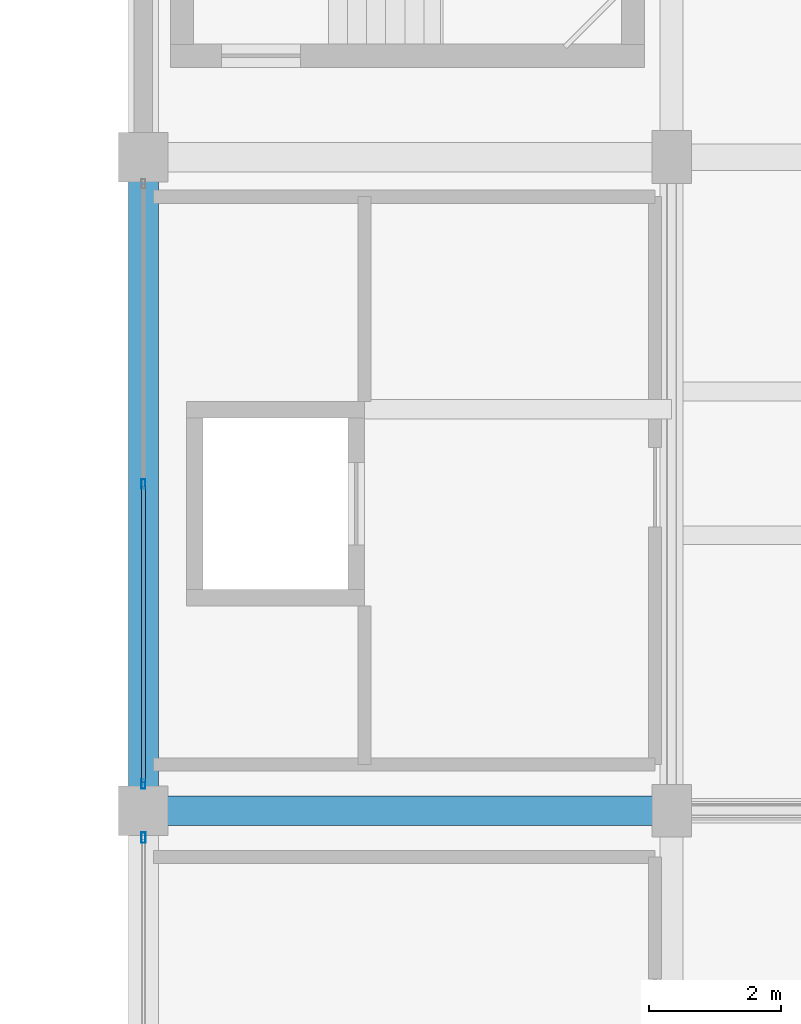
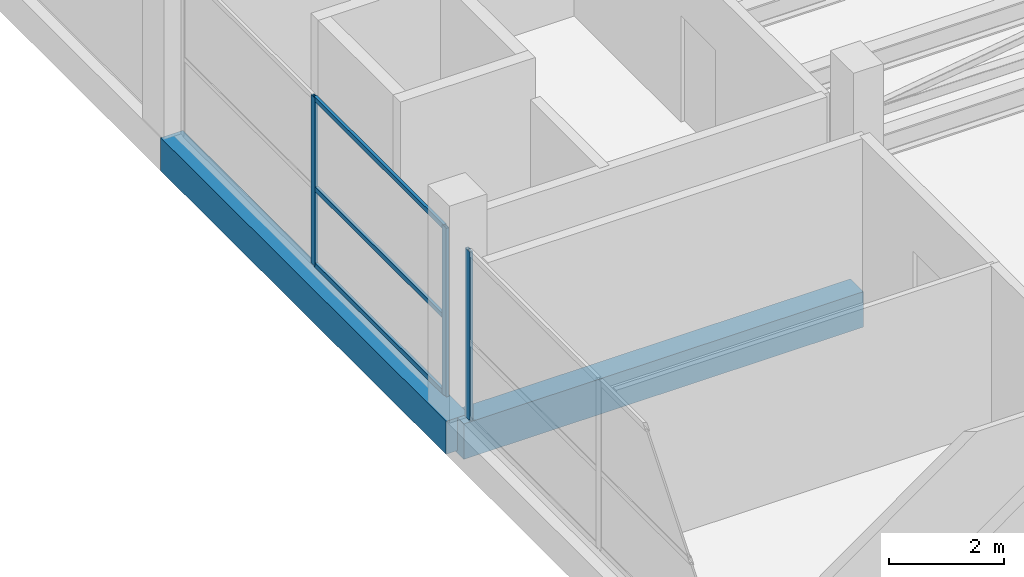
# One storey, part 17 of 49: 6 members, 2 beams, 2 elements without a shape of their own.
"""IFC4 building model written with IfcOpenShell, lengths in metres."""

from ifc_helpers import new_model, si_unit, direction, frame, origin, origin_2d, place, context, subcontext, project, spatial, rectangle, hollow_rectangle, extrude, material, layer, layer_set, material_profile, profile_set, type_object, element, aggregate, save


model = new_model("IFC4")

# Units and contexts
model_context = context("Model", 3, precision=1e-05, world=origin(), true_north=direction((0.0, 1.0)))
body_context = subcontext(model_context, "Body", "Model", "MODEL_VIEW")
ifc_project = project(units=[si_unit("LENGTHUNIT", "METRE"), si_unit("AREAUNIT", "SQUARE_METRE"), si_unit("VOLUMEUNIT", "CUBIC_METRE"), si_unit("PLANEANGLEUNIT", "RADIAN"), si_unit("MASSUNIT", "GRAM", prefix="KILO")], contexts=[model_context])

# Site, building, storey
site_placement = place(None, origin())
site = spatial("IfcSite", under=ifc_project, at=site_placement, CompositionType="ELEMENT")
building_placement = place(site_placement, origin())
building = spatial("IfcBuilding", under=site, at=building_placement, Name="Sillaruma Civic Art Gallery", CompositionType="ELEMENT")
storey_placement = place(building_placement, frame((0.0, 0.0, 33.14990234375)))
storey = spatial("IfcBuildingStorey", under=building, at=storey_placement, Name="L06", CompositionType="ELEMENT", Elevation=33.14990234375)

# Beams
ifc_material_1 = material(Name="Concrete H40 (40 MPa)", Category="concrete")
ifc_material_profile_1 = material_profile(ifc_material_1, rectangle(XDim=0.449951171875, YDim=0.75, at=origin_2d()), Name="RCB450x750")
ifc_profile_set_1 = profile_set([ifc_material_profile_1], Name="Concrete H40 (40 MPa)")
beam_type_1 = type_object("IfcBeamType", Name="BM-BEAM-RCB450x750", PredefinedType="BEAM", material=ifc_profile_set_1)
beam_1_placement = place(storey_placement, frame((62.0, 69.300048828125, -0.614990234375), z_axis=(1.0, 0.0, 0.0), x_axis=(0.0, 1.0, 0.0)))
element("IfcBeam", 1, at=beam_1_placement, inside=storey, type_object=beam_type_1, Name="Beam BM-03 (L05:8:F-G)", PredefinedType="BEAM", context=body_context, shape_type="SweptSolid", body=[
    extrude(rectangle(XDim=0.449951171875, YDim=0.75, at=origin_2d()), origin(), (0.0, 0.0, 1.0), 8.0),
])
ifc_material_2 = material(Name="Concrete H35 (35 MPa)", Category="concrete")
ifc_material_profile_2 = material_profile(ifc_material_2, rectangle(XDim=0.449951171875, YDim=0.699951171875, at=origin_2d()), Name="RCB450x700")
ifc_profile_set_2 = profile_set([ifc_material_profile_2], Name="Concrete H35 (35 MPa)")
beam_type_2 = type_object("IfcBeamType", Name="BM-SPANDREL-RCB450x700", PredefinedType="SPANDREL", material=ifc_profile_set_2)
beam_2_placement = place(storey_placement, frame((62.0, 69.300048828125, -0.58984375), z_axis=(0.0, 1.0, 0.0), x_axis=(-1.0, 0.0, 0.0)))
element("IfcBeam", 2, at=beam_2_placement, inside=storey, type_object=beam_type_2, Name="Beam BS-03 (L05:F:8-9)", PredefinedType="SPANDREL", context=body_context, shape_type="SweptSolid", body=[
    extrude(rectangle(XDim=0.449951171875, YDim=0.699951171875, at=origin_2d()), origin(), (0.0, 0.0, 1.0), 9.89990234375),
])

# Curtain wall, members
ifc_material_3 = material(Name="Thermally Broken Extruded Aluminium 6063-T6", Category="aluminium")
ifc_layer_1 = layer(ifc_material_3, 0.139892578125, Name="Thermally Broken Extruded Aluminium 6063-T6")
ifc_layer_set_1 = layer_set([ifc_layer_1], Name="Thermally Broken Extruded Aluminium 6063-T6")
curtain_wall_type_1 = type_object("IfcCurtainWallType", Name="CW-UNI-32", PredefinedType="NOTDEFINED", material=ifc_layer_set_1)
curtain_wall_1_placement = place(storey_placement, origin())
curtain_wall_1 = element("IfcCurtainWall", 3, at=curtain_wall_1_placement, inside=storey, type_object=curtain_wall_type_1, Name="Unitised Curtain Wall CW-32 (CW-L06-W-6)", PredefinedType="NOTDEFINED")
ifc_material_profile_3 = material_profile(ifc_material_3, hollow_rectangle(XDim=0.06005859375, YDim=0.139892578125, WallThickness=0.00341796875, at=origin_2d()), Name="CWM60x140")
ifc_profile_set_3 = profile_set([ifc_material_profile_3], Name="Thermally Broken Extruded Aluminium 6063-T6")
member_type_1 = type_object("IfcMemberType", Name="MEM-MUL-CWM60x140", PredefinedType="MULLION", material=ifc_profile_set_3)
member_1_placement = place(storey_placement, frame((62.0, 69.705078125, 0.0), z_axis=(0.0, 0.0, 1.0), x_axis=(-1.0, 0.0, 0.0)))
member_1 = element("IfcMember", 4, at=member_1_placement, type_object=member_type_1, Name="CW-32 mullion 1", PredefinedType="MULLION", context=body_context, shape_type="SweptSolid", body=[
    extrude(hollow_rectangle(XDim=0.06005859375, YDim=0.139892578125, WallThickness=0.00341796875, at=origin_2d()), origin(), (0.0, 0.0, 1.0), 3.570068359375),
])
member_2_placement = place(storey_placement, frame((62.0, 74.25, 0.0), z_axis=(0.0, 0.0, 1.0), x_axis=(-1.0, 0.0, 0.0)))
member_2 = element("IfcMember", 5, at=member_2_placement, type_object=member_type_1, Name="CW-32 mullion 2", PredefinedType="MULLION", context=body_context, shape_type="SweptSolid", body=[
    extrude(hollow_rectangle(XDim=0.06005859375, YDim=0.139892578125, WallThickness=0.00341796875, at=origin_2d()), origin(), (0.0, 0.0, 1.0), 3.570068359375),
])

# Curtain wall, member
ifc_layer_2 = layer(ifc_material_3, 0.159912109375, Name="Thermally Broken Extruded Aluminium 6063-T6")
ifc_layer_set_2 = layer_set([ifc_layer_2], Name="Thermally Broken Extruded Aluminium 6063-T6")
curtain_wall_type_2 = type_object("IfcCurtainWallType", Name="CW-UNI-39", PredefinedType="NOTDEFINED", material=ifc_layer_set_2)
curtain_wall_2_placement = place(storey_placement, origin())
curtain_wall_2 = element("IfcCurtainWall", 6, at=curtain_wall_2_placement, inside=storey, type_object=curtain_wall_type_2, Name="Unitised Curtain Wall CW-39 (CW-L06-W-5)", PredefinedType="NOTDEFINED")
ifc_material_profile_4 = material_profile(ifc_material_3, hollow_rectangle(XDim=0.06494140625, YDim=0.159912109375, WallThickness=0.00390625, at=origin_2d()), Name="CWM65x160")
ifc_profile_set_4 = profile_set([ifc_material_profile_4], Name="Thermally Broken Extruded Aluminium 6063-T6")
member_type_2 = type_object("IfcMemberType", Name="MEM-MUL-CWM65x160", PredefinedType="MULLION", material=ifc_profile_set_4)
member_3_placement = place(storey_placement, frame((62.0, 68.892578125, 0.0), z_axis=(0.0, 0.0, 1.0), x_axis=(-1.0, 0.0, 0.0)))
member_3 = element("IfcMember", 7, at=member_3_placement, type_object=member_type_2, Name="CW-39 mullion 3", PredefinedType="MULLION", context=body_context, shape_type="SweptSolid", body=[
    extrude(hollow_rectangle(XDim=0.06494140625, YDim=0.159912109375, WallThickness=0.00390625, at=origin_2d()), origin(), (0.0, 0.0, 1.0), 3.570068359375),
])
aggregate(curtain_wall_2, [member_3])

# Member
ifc_material_profile_5 = material_profile(ifc_material_3, hollow_rectangle(XDim=0.06005859375, YDim=0.10009765625, WallThickness=0.003173828125, at=origin_2d()), Name="CWT60x100")
ifc_profile_set_5 = profile_set([ifc_material_profile_5], Name="Thermally Broken Extruded Aluminium 6063-T6")
member_type_3 = type_object("IfcMemberType", Name="MEM-TRN-CWT60x100", PredefinedType="USERDEFINED", material=ifc_profile_set_5)
member_4_placement = place(storey_placement, frame((62.0, 69.735107421875, 0.030029296875), z_axis=(0.0, 1.0, 0.0), x_axis=(-1.0, 0.0, 0.0)))
member_4 = element("IfcMember", 8, at=member_4_placement, type_object=member_type_3, Name="CW-32 transom 1.1", ObjectType="TRANSOM", PredefinedType="USERDEFINED", context=body_context, shape_type="SweptSolid", body=[
    extrude(hollow_rectangle(XDim=0.06005859375, YDim=0.10009765625, WallThickness=0.003173828125, at=origin_2d()), origin(), (0.0, 0.0, 1.0), 4.48486328125),
])

member_5_placement = place(storey_placement, frame((62.0, 69.735107421875, 1.642333984375), z_axis=(0.0, 1.0, 0.0), x_axis=(-1.0, 0.0, 0.0)))
member_5 = element("IfcMember", 9, at=member_5_placement, type_object=member_type_3, Name="CW-32 transom 1.2", ObjectType="TRANSOM", PredefinedType="USERDEFINED", context=body_context, shape_type="SweptSolid", body=[
    extrude(hollow_rectangle(XDim=0.06005859375, YDim=0.10009765625, WallThickness=0.003173828125, at=origin_2d()), origin(), (0.0, 0.0, 1.0), 4.48486328125),
])

member_6_placement = place(storey_placement, frame((62.0, 69.735107421875, 3.5400390625), z_axis=(0.0, 1.0, 0.0), x_axis=(-1.0, 0.0, 0.0)))
member_6 = element("IfcMember", 10, at=member_6_placement, type_object=member_type_3, Name="CW-32 transom 1.3", ObjectType="TRANSOM", PredefinedType="USERDEFINED", context=body_context, shape_type="SweptSolid", body=[
    extrude(hollow_rectangle(XDim=0.06005859375, YDim=0.10009765625, WallThickness=0.003173828125, at=origin_2d()), origin(), (0.0, 0.0, 1.0), 4.48486328125),
])

aggregate(curtain_wall_1, [member_1, member_2, member_4, member_5, member_6])

save(model, "model.ifc")
